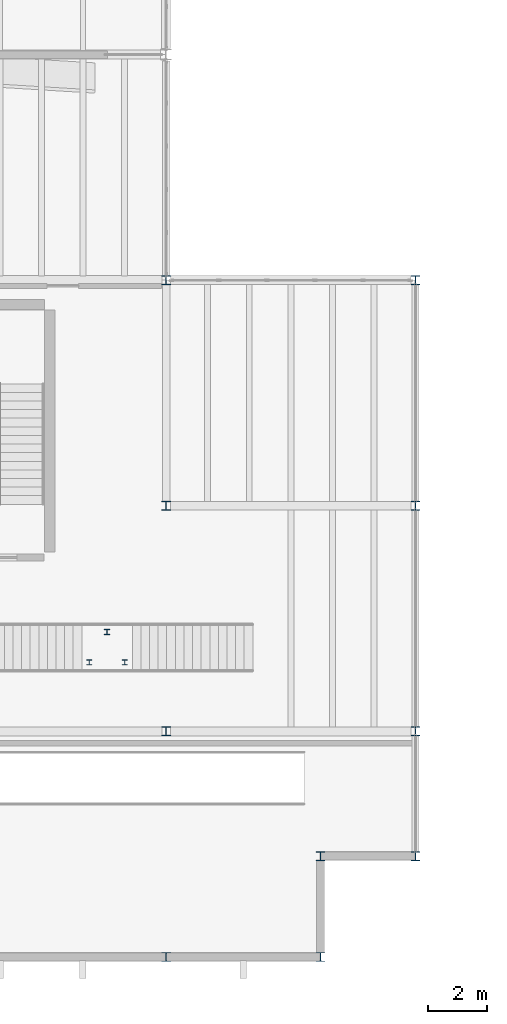
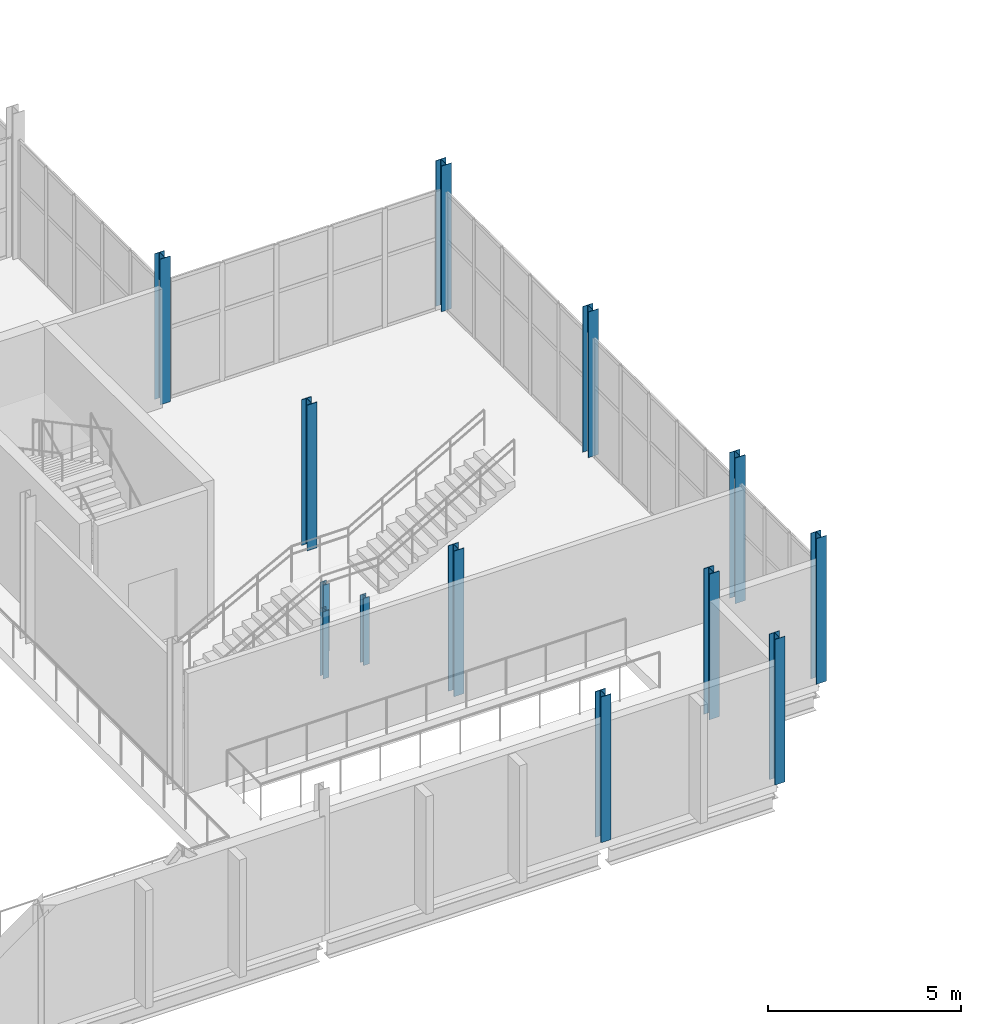
# One storey, part 2 of 172: 13 columns.
"""IFC4 building model written with IfcOpenShell, lengths in metres."""

import ifcopenshell
import ifcopenshell.guid

model = None  # the IFC model being written
_history = None  # IfcOwnerHistory: only IFC2X3 demands one
_inside = {}  # id of a spatial element -> (the spatial element, [elements in it])
_under = {}  # id of a project, library or spatial element -> (it, [spatial elements below it])
_declared = {}  # id of a project -> (the project, [libraries it declares])
_typed = {}  # id of a type object -> (the type object, [elements of that type])
_made_of = {}  # id of a material, layer set ... -> (it, [elements and type objects made of it])


def new_model(schema):
    """Start an empty IFC model of exactly this schema.

    Asked for "IFC4X3", IfcOpenShell would pick the latest addendum, in which some entities
    have other attributes; the version numbers below select the first issue.
    IFC2X3 requires an IfcOwnerHistory on every rooted entity: one is made here for all.
    """
    global model, _history
    if schema == "IFC4X3":
        model = ifcopenshell.file(schema_version=(4, 3, 0, 0))
    else:
        model = ifcopenshell.file(schema=schema)
    _inside.clear()
    _under.clear()
    _declared.clear()
    _typed.clear()
    _made_of.clear()
    _history = None
    if model.schema == "IFC2X3":
        org = make("IfcOrganization", Name="unknown")
        user = make(
            "IfcPersonAndOrganization",
            ThePerson=make("IfcPerson", FamilyName="unknown"),
            TheOrganization=org,
        )
        app = make(
            "IfcApplication",
            ApplicationDeveloper=org,
            Version="unknown",
            ApplicationFullName="unknown",
            ApplicationIdentifier="unknown",
        )
        _history = make(
            "IfcOwnerHistory",
            OwningUser=user,
            OwningApplication=app,
            ChangeAction="ADDED",
            CreationDate=0,
        )
    return model


def make(cls, **values):
    """One entity of the class cls with the attributes given. An attribute that is None is left unset."""
    return model.create_entity(
        cls, **{name: value for name, value in values.items() if value is not None}
    )


def rooted(cls, **values):
    """An entity with a GlobalId (a new one), such as an element, a storey or a relation."""
    return make(cls, GlobalId=ifcopenshell.guid.new(), OwnerHistory=_history, **values)


def si_unit(unit_type, name, prefix=None):
    """IfcSIUnit, for example si_unit("LENGTHUNIT", "METRE", prefix="MILLI")."""
    return make("IfcSIUnit", UnitType=unit_type, Prefix=prefix, Name=name)


def assignment(units):
    """IfcUnitAssignment: the units of a project."""
    return None if units is None else make("IfcUnitAssignment", Units=units)


def point(xyz):
    """IfcCartesianPoint."""
    return None if xyz is None else make("IfcCartesianPoint", Coordinates=xyz)


def direction(xyz):
    """IfcDirection."""
    return None if xyz is None else make("IfcDirection", DirectionRatios=xyz)


def frame(location, z_axis=None, x_axis=None):
    """IfcAxis2Placement3D, a coordinate frame: its origin and axes. An axis left out is left unset."""
    return make(
        "IfcAxis2Placement3D",
        Location=point(location),
        Axis=direction(z_axis),
        RefDirection=direction(x_axis),
    )


def frame_2d(location, x_axis=None):
    """IfcAxis2Placement2D, a coordinate frame in the plane: its origin and x axis."""
    return make(
        "IfcAxis2Placement2D", Location=point(location), RefDirection=direction(x_axis)
    )


def origin():
    """The frame at (0, 0, 0) with its axes left unset."""
    return frame((0.0, 0.0, 0.0))


def origin_2d():
    """The frame at (0, 0) in the plane with its x axis left unset."""
    return frame_2d((0.0, 0.0))


def place(relative_to, where):
    """IfcLocalPlacement: puts the frame where relative to a parent placement (None: the world)."""
    return make(
        "IfcLocalPlacement", PlacementRelTo=relative_to, RelativePlacement=where
    )


def context(
    kind, dimensions, precision=None, world=None, true_north=None, identifier=None
):
    """IfcGeometricRepresentationContext, for example the 3D "Model" context."""
    return make(
        "IfcGeometricRepresentationContext",
        ContextIdentifier=identifier,
        ContextType=kind,
        CoordinateSpaceDimension=dimensions,
        Precision=precision,
        WorldCoordinateSystem=world,
        TrueNorth=true_north,
    )


def subcontext(parent, identifier, kind, view, scale=None):
    """IfcGeometricRepresentationSubContext, for example "Body" below "Model"."""
    return make(
        "IfcGeometricRepresentationSubContext",
        ContextIdentifier=identifier,
        ContextType=kind,
        ParentContext=parent,
        TargetScale=scale,
        TargetView=view,
    )


def project(units=None, contexts=None):
    """IfcProject with its units and contexts."""
    return rooted(
        "IfcProject",
        Name="project",
        RepresentationContexts=contexts,
        UnitsInContext=assignment(units),
    )


def spatial(cls, under=None, at=None, **own):
    """A site, building, storey or space (cls), placed at a placement, below another one or the project."""
    s = rooted(cls, ObjectPlacement=at, **own)
    if under is not None:
        _under.setdefault(under.id(), (under, []))[1].append(s)
    return s


def profile(cls, at=None, kind="AREA", **sizes):
    """A parametric profile (cls). Its sizes go by their IFC names, for example OverallWidth=200.0."""
    return make(cls, ProfileType=kind, Position=at, **sizes)


def i_section(**sizes):
    """IfcIShapeProfileDef."""
    return profile("IfcIShapeProfileDef", **sizes)


def extrude(swept, where, along, depth):
    """IfcExtrudedAreaSolid: the profile swept, set in the frame where, extruded along a direction by depth."""
    return make(
        "IfcExtrudedAreaSolid",
        SweptArea=swept,
        Position=where,
        ExtrudedDirection=direction(along),
        Depth=depth,
    )


def shape(context_of_items, identifier, shape_type, items):
    """IfcShapeRepresentation: the items that make up one representation, for example the "Body"."""
    return make(
        "IfcShapeRepresentation",
        ContextOfItems=context_of_items,
        RepresentationIdentifier=identifier,
        RepresentationType=shape_type,
        Items=items,
    )


def material(Name=None, Category=None):
    """IfcMaterial."""
    return make("IfcMaterial", Name=Name, Category=Category)


def material_profile(
    of_material, cross_section, Name=None, Category=None, Priority=None
):
    """IfcMaterialProfile: a cross section and its material."""
    return make(
        "IfcMaterialProfile",
        Name=Name,
        Material=of_material,
        Profile=cross_section,
        Priority=Priority,
        Category=Category,
    )


def profile_set(profiles, Name=None, composite=None):
    """IfcMaterialProfileSet."""
    return make(
        "IfcMaterialProfileSet",
        Name=Name,
        MaterialProfiles=profiles,
        CompositeProfile=composite,
    )


def made_of(thing, what):
    """Note that an element or type object is made of a material, layer set ...; save() writes the relation."""
    if what is not None:
        _made_of.setdefault(what.id(), (what, []))[1].append(thing)
    return thing


def type_object(cls, material=None, **own):
    """A type object (cls), such as IfcWallType, which elements share."""
    return made_of(rooted(cls, **own), material)


def element(
    cls,
    number,
    at=None,
    inside=None,
    cuts=None,
    type_object=None,
    material=None,
    context=None,
    identifier="Body",
    shape_type=None,
    held_by="IfcProductDefinitionShape",
    body=None,
    shapes=None,
    **own,
):
    """One element of the class cls, such as IfcWall. Its Tag is "e" and its number.

    at: its placement. inside: the storey or other place that contains it. cuts: it is an
    opening in that element (IfcRelVoidsElement). A single representation is given by context,
    identifier, shape_type and body (its items); several are given by shapes. held_by: the class
    of the entity that holds the representations. save() writes the other relations.
    """
    e = rooted(cls, Tag="e%d" % number, ObjectPlacement=at, **own)
    if body is not None:
        shapes = [shape(context, identifier, shape_type, body)]
    if shapes is not None:
        e.Representation = make(held_by, Representations=shapes)
    if inside is not None:
        _inside.setdefault(inside.id(), (inside, []))[1].append(e)
    if cuts is not None:
        rooted(
            "IfcRelVoidsElement", RelatingBuildingElement=cuts, RelatedOpeningElement=e
        )
    if type_object is not None:
        _typed.setdefault(type_object.id(), (type_object, []))[1].append(e)
    return made_of(e, material)


def aggregate(whole, parts):
    """IfcRelAggregates: a whole, such as a stair, and the parts it consists of."""
    return rooted("IfcRelAggregates", RelatingObject=whole, RelatedObjects=parts)


def save(model, path):
    """Write the relations noted so far, then the file.

    IfcRelAggregates (storeys below a building ...), IfcRelContainedInSpatialStructure (elements
    in a storey), IfcRelDefinesByType, IfcRelAssociatesMaterial and IfcRelDeclares: one each for
    every whole, place, type object, material and project.
    """
    for whole, parts in _under.values():
        aggregate(whole, parts)
    for where, things in _inside.values():
        rooted(
            "IfcRelContainedInSpatialStructure",
            RelatedElements=things,
            RelatingStructure=where,
        )
    for kind, things in _typed.values():
        rooted("IfcRelDefinesByType", RelatedObjects=things, RelatingType=kind)
    for what, things in _made_of.values():
        rooted("IfcRelAssociatesMaterial", RelatedObjects=things, RelatingMaterial=what)
    for by, libraries in _declared.values():
        rooted("IfcRelDeclares", RelatingContext=by, RelatedDefinitions=libraries)
    model.write(path)


model = new_model("IFC4")

# Units and contexts
model_context = context("Model", 3, precision=1e-05, world=origin(), true_north=direction((0.0, 1.0)))
body_context = subcontext(model_context, "Body", "Model", "MODEL_VIEW")
ifc_project = project(units=[si_unit("LENGTHUNIT", "METRE"), si_unit("AREAUNIT", "SQUARE_METRE"), si_unit("VOLUMEUNIT", "CUBIC_METRE"), si_unit("PLANEANGLEUNIT", "RADIAN"), si_unit("MASSUNIT", "GRAM", prefix="KILO")], contexts=[model_context])

# Site, building, storey
site_placement = place(None, origin())
site = spatial("IfcSite", under=ifc_project, at=site_placement, CompositionType="ELEMENT")
building_placement = place(site_placement, origin())
building = spatial("IfcBuilding", under=site, at=building_placement, Name="Shengluoqiao Park Theatre", CompositionType="ELEMENT")
storey_placement = place(building_placement, frame((0.0, 0.0, 5.39990234375)))
storey = spatial("IfcBuildingStorey", under=building, at=storey_placement, Name="L01", CompositionType="ELEMENT", Elevation=5.39990234375)

# Columns
ifc_material = material(Name="Steel Q355", Category="steel")
ifc_material_profile_1 = material_profile(ifc_material, i_section(OverallWidth=0.175048828125, OverallDepth=0.175048828125, WebThickness=0.007568359375, FlangeThickness=0.010986328125, FilletRadius=0.012939453125, at=origin_2d()), Name="HW 175x175x7.5x11")
ifc_profile_set_1 = profile_set([ifc_material_profile_1], Name="Steel Q355")
column_type_1 = type_object("IfcColumnType", Name="STR-COL-C-HW175", PredefinedType="COLUMN", material=ifc_profile_set_1)
for number, where, z_axis, x_axis, name in (
    (1, (33.409912109375, 9.925048828125, 0.0), (0.0, 0.0, 1.0), (1.0, 0.0, 0.0), "ST-08-L01 L01 Landing Column W"),
    (2, (34.610107421875, 9.925048828125, 0.0), (0.0, 0.0, 1.0), (1.0, 0.0, 0.0), "ST-08-L01 L01 Landing Column E"),
    (3, (34.010009765625, 10.945068359375, 0.0), (0.0, 0.0, 1.0), (1.0, 0.0, 0.0), "ST-08-L01 L01 Landing Column N"),
):
    element("IfcColumn", number, at=place(storey_placement, frame(where, z_axis=z_axis, x_axis=x_axis)), inside=storey, type_object=column_type_1, Name=name, PredefinedType="COLUMN", context=body_context, shape_type="SweptSolid", body=[
        extrude(i_section(OverallWidth=0.175048828125, OverallDepth=0.175048828125, WebThickness=0.007568359375, FlangeThickness=0.010986328125, FilletRadius=0.012939453125, at=origin_2d()), origin(), (0.0, 0.0, 1.0), 2.130126953125),
    ])
ifc_material_profile_2 = material_profile(ifc_material, i_section(OverallWidth=0.300048828125, OverallDepth=0.300048828125, WebThickness=0.010009765625, FlangeThickness=0.014892578125, FilletRadius=0.01806640625, at=origin_2d()), Name="HW 300x300x10x15")
ifc_profile_set_2 = profile_set([ifc_material_profile_2], Name="Steel Q355")
column_type_2 = type_object("IfcColumnType", Name="STR-COL-C-HW300", PredefinedType="COLUMN", material=ifc_profile_set_2)
for number, where, z_axis, x_axis, name in (
    (4, (36.0, 0.0, 0.0), (0.0, 0.0, 1.0), (1.0, 0.0, 0.0), "L01 Column 0145"),
    (5, (36.0, 7.60009765625, 0.0), (0.0, 0.0, 1.0), (1.0, 0.0, 0.0), "L01 Column 0149"),
    (6, (36.0, 15.199951171875, 0.0), (0.0, 0.0, 1.0), (1.0, 0.0, 0.0), "L01 Column 0153"),
    (7, (36.0, 22.800048828125, 0.0), (0.0, 0.0, 1.0), (1.0, 0.0, 0.0), "L01 Column 0157"),
    (8, (44.39990234375, 7.60009765625, 0.0), (0.0, 0.0, 1.0), (1.0, 0.0, 0.0), "L01 Column 0193"),
    (9, (44.39990234375, 15.199951171875, 0.0), (0.0, 0.0, 1.0), (1.0, 0.0, 0.0), "L01 Column 0197"),
    (10, (44.39990234375, 22.800048828125, 0.0), (0.0, 0.0, 1.0), (1.0, 0.0, 0.0), "L01 Column 0201"),
    (11, (41.199951171875, 0.0, 0.0), (0.0, 0.0, 1.0), (1.0, 0.0, 0.0), "L01 Corner Step Column 01"),
    (12, (41.199951171875, 3.39990234375, 0.0), (0.0, 0.0, 1.0), (1.0, 0.0, 0.0), "L01 Corner Step Column 02"),
    (13, (44.39990234375, 3.39990234375, 0.0), (0.0, 0.0, 1.0), (1.0, 0.0, 0.0), "L01 Corner Step Column 03"),
):
    element("IfcColumn", number, at=place(storey_placement, frame(where, z_axis=z_axis, x_axis=x_axis)), inside=storey, type_object=column_type_2, Name=name, PredefinedType="COLUMN", context=body_context, shape_type="SweptSolid", body=[
        extrude(i_section(OverallWidth=0.300048828125, OverallDepth=0.300048828125, WebThickness=0.010009765625, FlangeThickness=0.014892578125, FilletRadius=0.01806640625, at=origin_2d()), origin(), (0.0, 0.0, 1.0), 4.60009765625),
    ])

save(model, "model.ifc")
